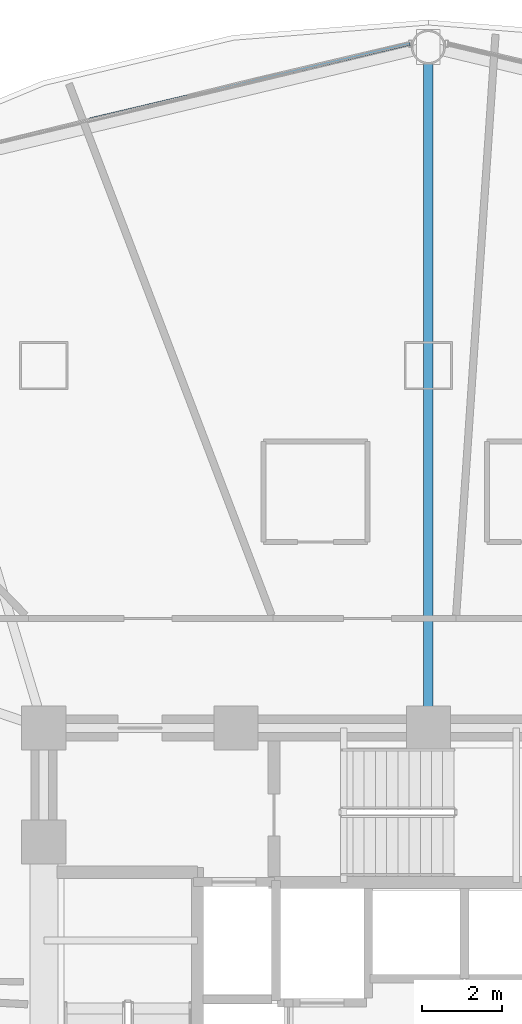
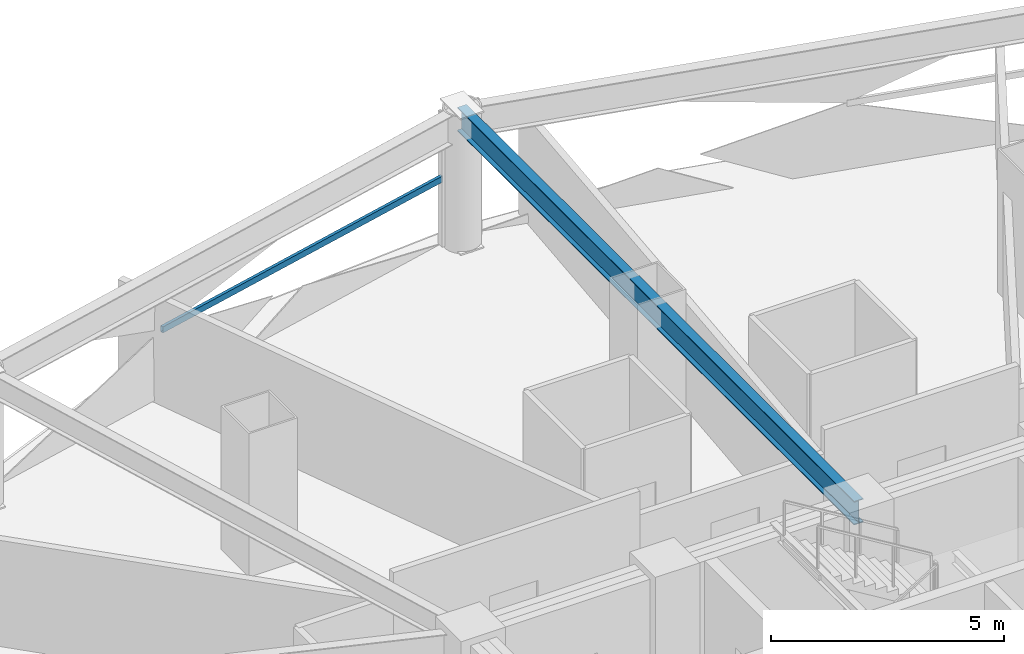
# One storey, part 16 of 29: 1 beam, 1 member, 1 element without a shape of its own.
"""IFC4 building model written with IfcOpenShell, lengths in metres."""

from ifc_helpers import new_model, si_unit, direction, frame, origin, origin_2d, place, context, subcontext, project, spatial, hollow_rectangle, i_section, extrude, material, layer, layer_set, material_profile, profile_set, type_object, element, aggregate, save


model = new_model("IFC4")

# Units and contexts
model_context = context("Model", 3, precision=1e-05, world=origin(), true_north=direction((0.0, 1.0)))
body_context = subcontext(model_context, "Body", "Model", "MODEL_VIEW")
ifc_project = project(units=[si_unit("LENGTHUNIT", "METRE"), si_unit("AREAUNIT", "SQUARE_METRE"), si_unit("VOLUMEUNIT", "CUBIC_METRE"), si_unit("PLANEANGLEUNIT", "RADIAN"), si_unit("MASSUNIT", "GRAM", prefix="KILO")], contexts=[model_context])

# Site, building, storey
site_placement = place(None, origin())
site = spatial("IfcSite", under=ifc_project, at=site_placement, CompositionType="ELEMENT")
building_placement = place(site_placement, origin())
building = spatial("IfcBuilding", under=site, at=building_placement, Name="Vantalir Tower", CompositionType="ELEMENT")
storey_placement = place(building_placement, frame((0.0, 0.0, 60.75)))
storey = spatial("IfcBuildingStorey", under=building, at=storey_placement, Name="L14", CompositionType="ELEMENT", Elevation=60.75)

# Beam
ifc_material_1 = material(Name="Steel S355", Category="steel")
ifc_material_profile_1 = material_profile(ifc_material_1, i_section(OverallWidth=0.22998046875, OverallDepth=0.616943359375, WebThickness=0.01318359375, FlangeThickness=0.022216796875, at=origin_2d()), Name="Steel S355")
ifc_profile_set_1 = profile_set([ifc_material_profile_1], Name="Steel S355")
beam_type = type_object("IfcBeamType", Name="BM-RB-610x229", PredefinedType="BEAM", material=ifc_profile_set_1)
beam_placement = place(storey_placement, frame((31.5, 49.450927734375, 3.261962890625), z_axis=(0.0, -1.0, 0.0), x_axis=(1.0, 0.0, 0.0)))
element("IfcBeam", 1, at=beam_placement, inside=storey, type_object=beam_type, Name="L14 Radial Floor Beam 04", PredefinedType="BEAM", context=body_context, shape_type="SweptSolid", body=[
    extrude(i_section(OverallWidth=0.22998046875, OverallDepth=0.616943359375, WebThickness=0.01318359375, FlangeThickness=0.022216796875, at=origin_2d()), origin(), (0.0, 0.0, 1.0), 17.0009765625),
])

# Curtain wall, member
ifc_material_2 = material(Name="Champagne-silver PVDF aluminium and double-silver Low-E glass", Category="aluminium")
ifc_layer = layer(ifc_material_2, 0.18994140625)
ifc_layer_set = layer_set([ifc_layer], Name="Champagne-silver PVDF aluminium and double-silver Low-E glass")
curtain_wall_type = type_object("IfcCurtainWallType", Name="CW-DIAMOND-Z1", PredefinedType="USERDEFINED", material=ifc_layer_set)
curtain_wall_placement = place(storey_placement, origin())
curtain_wall = element("IfcCurtainWall", 2, at=curtain_wall_placement, inside=storey, type_object=curtain_wall_type, Name="L14 Quilted Pyramid-Diamond Curtain Wall S04", ObjectType="UNITISED CURTAIN WALL", PredefinedType="USERDEFINED")
ifc_material_3 = material(Name="Champagne-silver PVDF aluminium 6063-T6", Category="aluminium")
ifc_material_profile_2 = material_profile(ifc_material_3, hollow_rectangle(XDim=0.074951171875, YDim=0.159912109375, WallThickness=0.00390625, at=origin_2d()), Name="Champagne-silver PVDF aluminium 6063-T6")
ifc_profile_set_2 = profile_set([ifc_material_profile_2], Name="Champagne-silver PVDF aluminium 6063-T6")
member_type = type_object("IfcMemberType", Name="CWT-160x75", PredefinedType="USERDEFINED", material=ifc_profile_set_2)
member_placement = place(storey_placement, frame((31.04296875, 49.531982421875, 1.784912109375), z_axis=(-0.973303053542, -0.22952378083, 0.0), x_axis=(0.22952378083, -0.973303053542, 0.0)))
member = element("IfcMember", 3, at=member_placement, type_object=member_type, Name="CW-L14-S04 Pyramid Fold Ridge Transom", ObjectType="TRANSOM", PredefinedType="USERDEFINED", context=body_context, shape_type="SweptSolid", body=[
    extrude(hollow_rectangle(XDim=0.074951171875, YDim=0.159912109375, WallThickness=0.00390625, at=origin_2d()), origin(), (0.0, 0.0, 1.0), 8.229736328125),
])
aggregate(curtain_wall, [member])

save(model, "model.ifc")
